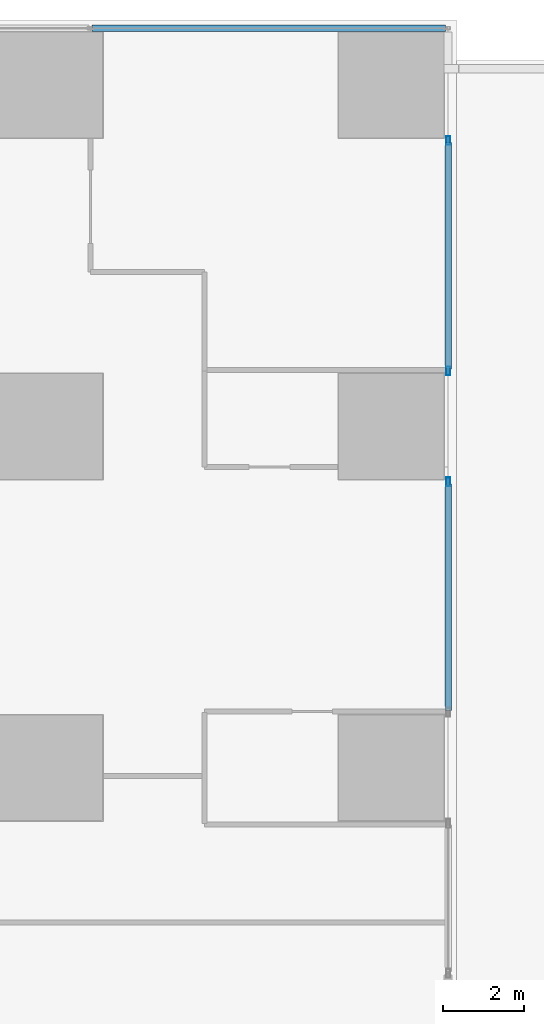
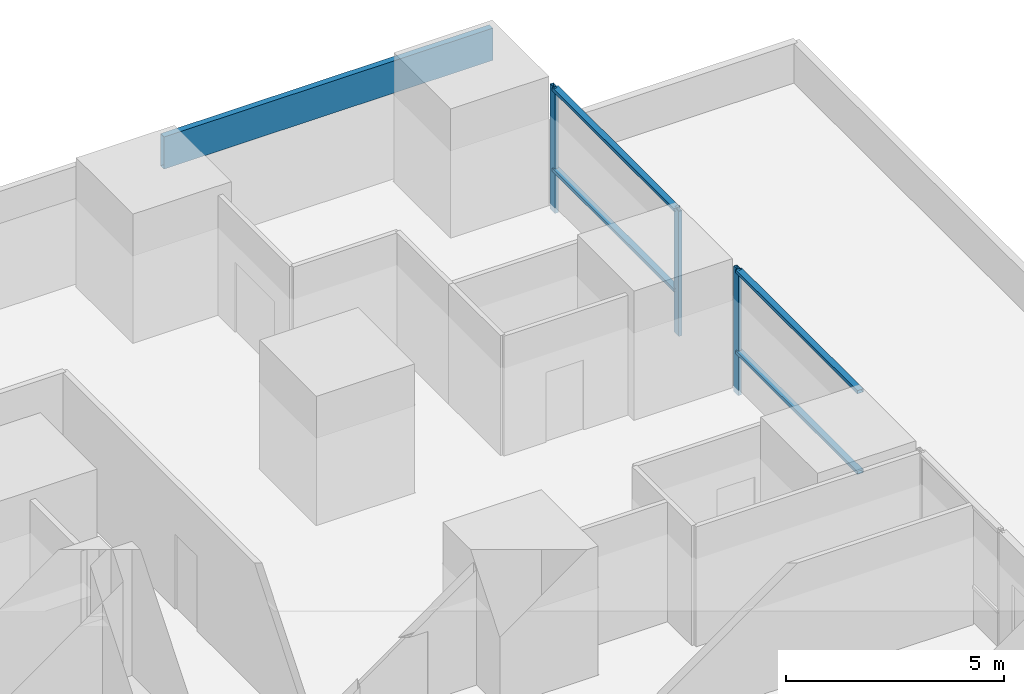
# One storey, part 16 of 35: 8 members, 3 elements without a shape of their own.
"""IFC4 building model written with IfcOpenShell, lengths in metres."""

from ifc_helpers import new_model, si_unit, direction, frame, origin, origin_2d, place, context, subcontext, project, spatial, hollow_rectangle, extrude, material, material_profile, profile_set, type_object, element, aggregate, save


model = new_model("IFC4")

# Units and contexts
model_context = context("Model", 3, precision=1e-05, world=origin(), true_north=direction((0.0, 1.0)))
body_context = subcontext(model_context, "Body", "Model", "MODEL_VIEW")
ifc_project = project(units=[si_unit("LENGTHUNIT", "METRE"), si_unit("AREAUNIT", "SQUARE_METRE"), si_unit("VOLUMEUNIT", "CUBIC_METRE"), si_unit("PLANEANGLEUNIT", "RADIAN"), si_unit("MASSUNIT", "GRAM", prefix="KILO")], contexts=[model_context])

# Site, building, storey
site_placement = place(None, origin())
site = spatial("IfcSite", under=ifc_project, at=site_placement, CompositionType="ELEMENT")
building_placement = place(site_placement, origin())
building = spatial("IfcBuilding", under=site, at=building_placement, Name="Rekha Terrace Tower", CompositionType="ELEMENT")
storey_placement = place(building_placement, frame((0.0, 0.0, 25.39990234375)))
storey = spatial("IfcBuildingStorey", under=building, at=storey_placement, Name="L05", CompositionType="ELEMENT", Elevation=25.39990234375)

# Curtain wall, member
ifc_material_1 = material(Name="Aluminium framing", Category="aluminium")
curtain_wall_type_1 = type_object("IfcCurtainWallType", Name="CW3 north unitised glazing", PredefinedType="USERDEFINED", material=ifc_material_1)
curtain_wall_1_placement = place(storey_placement, origin())
curtain_wall_1 = element("IfcCurtainWall", 1, at=curtain_wall_1_placement, inside=storey, type_object=curtain_wall_type_1, Name="CW3 unitised curtain wall", ObjectType="UNITISED CURTAIN WALL", PredefinedType="USERDEFINED")
ifc_material_2 = material(Name="Insulated aluminium spandrel box", Category="aluminium")
ifc_material_profile_1 = material_profile(ifc_material_2, hollow_rectangle(XDim=0.159912109375, YDim=0.89990234375, WallThickness=0.0029296875, at=origin_2d()), Name="AL SPANDREL BOX 160x900")
ifc_profile_set_1 = profile_set([ifc_material_profile_1], Name="Insulated aluminium spandrel box")
member_type_1 = type_object("IfcMemberType", Name="CW3 spandrel transom 160 x 900", PredefinedType="USERDEFINED", material=ifc_profile_set_1)
member_1_placement = place(storey_placement, frame((68.530029296875, 60.199951171875, 3.050048828125), z_axis=(-1.0, 0.0, 0.0), x_axis=(0.0, -1.0, 0.0)))
member_1 = element("IfcMember", 2, at=member_1_placement, type_object=member_type_1, Name="CW3 spandrel transom 1", ObjectType="TRANSOM", PredefinedType="USERDEFINED", context=body_context, shape_type="SweptSolid", body=[
    extrude(hollow_rectangle(XDim=0.159912109375, YDim=0.89990234375, WallThickness=0.0029296875, at=origin_2d()), origin(), (0.0, 0.0, 1.0), 8.695068359375),
])
aggregate(curtain_wall_1, [member_1])

curtain_wall_type_2 = type_object("IfcCurtainWallType", Name="CW5 sky garden glazing", PredefinedType="USERDEFINED", material=ifc_material_1)
curtain_wall_2_placement = place(storey_placement, origin())
curtain_wall_2 = element("IfcCurtainWall", 3, at=curtain_wall_2_placement, inside=storey, type_object=curtain_wall_type_2, Name="CW5 sky garden curtain wall", ObjectType="SKY GARDEN CURTAIN WALL", PredefinedType="USERDEFINED")
ifc_material_3 = material(Name="Aluminium mullion section", Category="aluminium")
ifc_material_profile_2 = material_profile(ifc_material_3, hollow_rectangle(XDim=0.090087890625, YDim=0.219970703125, WallThickness=0.00390625, at=origin_2d()), Name="AL RHS 90x220")
ifc_profile_set_2 = profile_set([ifc_material_profile_2], Name="Aluminium mullion section")
member_type_2 = type_object("IfcMemberType", Name="CW5 mullion RHS 90 x 220", PredefinedType="MULLION", material=ifc_profile_set_2)
member_2_placement = place(storey_placement, frame((68.60009765625, 49.034912109375, 0.0), z_axis=(0.0, 0.0, 1.0), x_axis=(-1.0, 0.0, 0.0)))
member_2 = element("IfcMember", 4, at=member_2_placement, type_object=member_type_2, Name="CW5 mullion 2", PredefinedType="MULLION", context=body_context, shape_type="SweptSolid", body=[
    extrude(hollow_rectangle(XDim=0.090087890625, YDim=0.219970703125, WallThickness=0.00390625, at=origin_2d()), origin(), (0.0, 0.0, 1.0), 3.5),
])

# Curtain wall, members
curtain_wall_3_placement = place(storey_placement, origin())
curtain_wall_3 = element("IfcCurtainWall", 5, at=curtain_wall_3_placement, inside=storey, type_object=curtain_wall_type_2, Name="CW5 sky garden curtain wall", ObjectType="SKY GARDEN CURTAIN WALL", PredefinedType="USERDEFINED")
member_3_placement = place(storey_placement, frame((68.60009765625, 51.764892578125, 0.0), z_axis=(0.0, 0.0, 1.0), x_axis=(-1.0, 0.0, 0.0)))
member_3 = element("IfcMember", 6, at=member_3_placement, type_object=member_type_2, Name="CW5 mullion 1", PredefinedType="MULLION", context=body_context, shape_type="SweptSolid", body=[
    extrude(hollow_rectangle(XDim=0.090087890625, YDim=0.219970703125, WallThickness=0.00390625, at=origin_2d()), origin(), (0.0, 0.0, 1.0), 3.5),
])
member_4_placement = place(storey_placement, frame((68.60009765625, 57.43505859375, 0.0), z_axis=(0.0, 0.0, 1.0), x_axis=(-1.0, 0.0, 0.0)))
member_4 = element("IfcMember", 7, at=member_4_placement, type_object=member_type_2, Name="CW5 mullion 2", PredefinedType="MULLION", context=body_context, shape_type="SweptSolid", body=[
    extrude(hollow_rectangle(XDim=0.090087890625, YDim=0.219970703125, WallThickness=0.00390625, at=origin_2d()), origin(), (0.0, 0.0, 1.0), 3.5),
])

# Member
ifc_material_4 = material(Name="Aluminium transom section", Category="aluminium")
ifc_material_profile_3 = material_profile(ifc_material_4, hollow_rectangle(XDim=0.159912109375, YDim=0.090087890625, WallThickness=0.0029296875, at=origin_2d()), Name="AL RHS 160x90")
ifc_profile_set_3 = profile_set([ifc_material_profile_3], Name="Aluminium transom section")
member_type_3 = type_object("IfcMemberType", Name="CW5 transom RHS 90 x 160", PredefinedType="USERDEFINED", material=ifc_profile_set_3)
member_5_placement = place(storey_placement, frame((68.60009765625, 43.409912109375, 1.2001953125), z_axis=(0.0, 1.0, 0.0), x_axis=(-1.0, 0.0, 0.0)))
member_5 = element("IfcMember", 8, at=member_5_placement, type_object=member_type_3, Name="CW5 transom 1.2", ObjectType="TRANSOM", PredefinedType="USERDEFINED", context=body_context, shape_type="SweptSolid", body=[
    extrude(hollow_rectangle(XDim=0.159912109375, YDim=0.090087890625, WallThickness=0.0029296875, at=origin_2d()), origin(), (0.0, 0.0, 1.0), 5.580078125),
])

member_6_placement = place(storey_placement, frame((68.60009765625, 43.409912109375, 3.455078125), z_axis=(0.0, 1.0, 0.0), x_axis=(-1.0, 0.0, 0.0)))
member_6 = element("IfcMember", 9, at=member_6_placement, type_object=member_type_3, Name="CW5 transom 1.3", ObjectType="TRANSOM", PredefinedType="USERDEFINED", context=body_context, shape_type="SweptSolid", body=[
    extrude(hollow_rectangle(XDim=0.159912109375, YDim=0.090087890625, WallThickness=0.0029296875, at=origin_2d()), origin(), (0.0, 0.0, 1.0), 5.580078125),
])

aggregate(curtain_wall_2, [member_2, member_5, member_6])

member_7_placement = place(storey_placement, frame((68.60009765625, 51.81005859375, 1.2001953125), z_axis=(0.0, 1.0, 0.0), x_axis=(-1.0, 0.0, 0.0)))
member_7 = element("IfcMember", 10, at=member_7_placement, type_object=member_type_3, Name="CW5 transom 1.2", ObjectType="TRANSOM", PredefinedType="USERDEFINED", context=body_context, shape_type="SweptSolid", body=[
    extrude(hollow_rectangle(XDim=0.159912109375, YDim=0.090087890625, WallThickness=0.0029296875, at=origin_2d()), origin(), (0.0, 0.0, 1.0), 5.579833984375),
])

member_8_placement = place(storey_placement, frame((68.60009765625, 51.81005859375, 3.455078125), z_axis=(0.0, 1.0, 0.0), x_axis=(-1.0, 0.0, 0.0)))
member_8 = element("IfcMember", 11, at=member_8_placement, type_object=member_type_3, Name="CW5 transom 1.3", ObjectType="TRANSOM", PredefinedType="USERDEFINED", context=body_context, shape_type="SweptSolid", body=[
    extrude(hollow_rectangle(XDim=0.159912109375, YDim=0.090087890625, WallThickness=0.0029296875, at=origin_2d()), origin(), (0.0, 0.0, 1.0), 5.579833984375),
])

aggregate(curtain_wall_3, [member_3, member_4, member_7, member_8])

save(model, "model.ifc")
